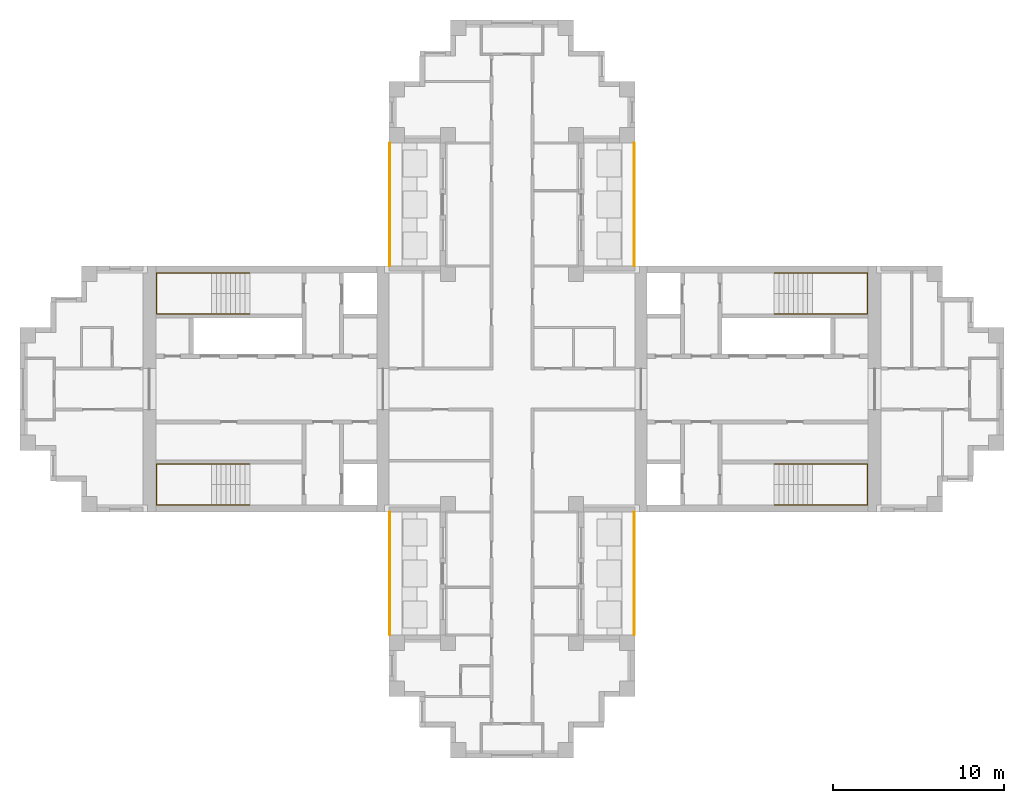
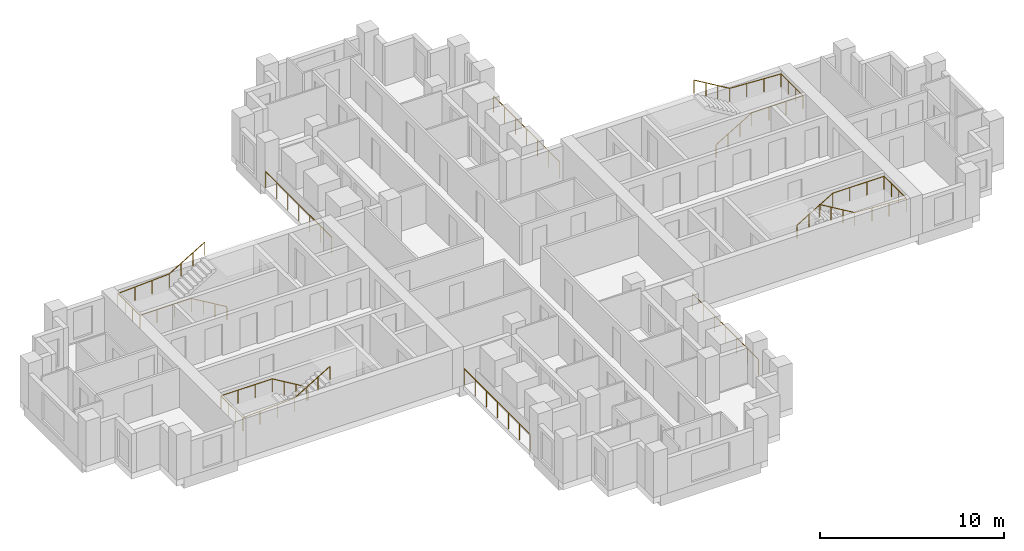
# One storey, part 8 of 9: 8 railings.
"""IFC4 building model written with IfcOpenShell, lengths in metres."""

from ifc_helpers import new_model, si_unit, direction, frame, origin, origin_2d, place, context, subcontext, project, spatial, circle, extrude, material, type_object, element, save


model = new_model("IFC4")

# Units and contexts
model_context = context("Model", 3, precision=1e-05, world=origin(), true_north=direction((0.0, 1.0)))
body_context = subcontext(model_context, "Body", "Model", "MODEL_VIEW")
ifc_project = project(units=[si_unit("LENGTHUNIT", "METRE"), si_unit("AREAUNIT", "SQUARE_METRE"), si_unit("VOLUMEUNIT", "CUBIC_METRE"), si_unit("PLANEANGLEUNIT", "RADIAN"), si_unit("MASSUNIT", "GRAM", prefix="KILO")], contexts=[model_context])

# Site, building, storey
site_placement = place(None, origin())
site = spatial("IfcSite", under=ifc_project, at=site_placement, CompositionType="ELEMENT")
building_placement = place(site_placement, origin())
building = spatial("IfcBuilding", under=site, at=building_placement, Name="Fustian Cross Tower", CompositionType="ELEMENT")
storey_placement = place(building_placement, frame((0.0, 0.0, 216.89990234375)))
storey = spatial("IfcBuildingStorey", under=building, at=storey_placement, Name="L68", CompositionType="ELEMENT", Elevation=216.89990234375)

# Railings
ifc_material_1 = material(Name="Stainless steel and glass", Category="steel")
railing_type_1 = type_object("IfcRailingType", Name="GR1 BALCONY GUARD 1100", PredefinedType="GUARDRAIL", material=ifc_material_1)
for number, where, name in (
    (1, (7.14990234375, 7.199951171875, 0.0), "Balcony guard"),
    (2, (-7.14990234375, 7.199951171875, 0.0), "Balcony guard"),
    (3, (7.14990234375, -14.39990234375, 0.0), "Balcony guard"),
    (4, (-7.14990234375, -14.39990234375, 0.0), "Balcony guard"),
):
    element("IfcRailing", number, at=place(storey_placement, frame(where)), inside=storey, type_object=railing_type_1, Name=name, PredefinedType="GUARDRAIL", context=body_context, shape_type="SweptSolid", body=[
        extrude(circle(Radius=0.02392578125, at=origin_2d()), frame((0.0, 0.0, 1.076171875), z_axis=(0.0, 1.0, 0.0), x_axis=(-1.0, 0.0, 0.0)), (0.0, 0.0, 1.0), 7.199951171875),
        extrude(circle(Radius=0.02099609375, at=origin_2d()), origin(), (0.0, 0.0, 1.0), 1.052001953125),
        extrude(circle(Radius=0.02099609375, at=origin_2d()), frame((0.0, 1.199951171875, 0.0)), (0.0, 0.0, 1.0), 1.052001953125),
        extrude(circle(Radius=0.02099609375, at=origin_2d()), frame((0.0, 2.39990234375, 0.0)), (0.0, 0.0, 1.0), 1.052001953125),
        extrude(circle(Radius=0.02099609375, at=origin_2d()), frame((0.0, 3.60009765625, 0.0)), (0.0, 0.0, 1.0), 1.052001953125),
        extrude(circle(Radius=0.02099609375, at=origin_2d()), frame((0.0, 4.800048828125, 0.0)), (0.0, 0.0, 1.0), 1.052001953125),
        extrude(circle(Radius=0.02099609375, at=origin_2d()), frame((0.0, 6.0, 0.0)), (0.0, 0.0, 1.0), 1.052001953125),
        extrude(circle(Radius=0.02099609375, at=origin_2d()), frame((0.0, 7.199951171875, 0.0)), (0.0, 0.0, 1.0), 1.052001953125),
    ])
ifc_material_2 = material(Name="Stainless steel", Category="steel")
railing_type_2 = type_object("IfcRailingType", Name="STAIR HANDRAIL", PredefinedType="HANDRAIL", material=ifc_material_2)
railing_1_placement = place(storey_placement, frame((15.35009765625, 4.39990234375, 0.166748046875)))
element("IfcRailing", 5, at=railing_1_placement, inside=storey, type_object=railing_type_2, Name="Stair ST1 handrail 1", PredefinedType="HANDRAIL", context=body_context, shape_type="SweptSolid", body=[
    extrude(circle(Radius=0.02490234375, at=origin_2d()), frame((0.0, 0.0, 0.875), z_axis=(0.859305625298, 0.0, 0.511462454469), x_axis=(0.0, 1.0, 0.0)), (0.0, 0.0, 1.0), 2.606689453125),
    extrude(circle(Radius=0.02490234375, at=origin_2d()), frame((2.239990234375, 0.0, 2.2080078125), z_axis=(1.0, 0.0, 0.0), x_axis=(0.0, 1.0, 0.0)), (0.0, 0.0, 1.0), 3.219970703125),
    extrude(circle(Radius=0.02490234375, at=origin_2d()), frame((5.4599609375, 0.0, 2.2080078125), z_axis=(0.0, 1.0, 0.0), x_axis=(-1.0, 0.0, 0.0)), (0.0, 0.0, 1.0), 2.400146484375),
    extrude(circle(Radius=0.02490234375, at=origin_2d()), frame((5.4599609375, 2.400146484375, 2.2080078125), z_axis=(-0.998661817807, 0.0, 0.051716280352), x_axis=(0.0, -1.0, 0.0)), (0.0, 0.0, 1.0), 3.224365234375),
    extrude(circle(Radius=0.02490234375, at=origin_2d()), frame((2.239990234375, 2.400146484375, 2.375), z_axis=(-0.859305625298, 0.0, 0.511462454469), x_axis=(0.0, -1.0, 0.0)), (0.0, 0.0, 1.0), 2.606689453125),
    extrude(circle(Radius=0.02001953125, at=origin_2d()), origin(), (0.0, 0.0, 1.0), 0.849853515625),
    extrude(circle(Radius=0.02001953125, at=origin_2d()), frame((0.74658203125, 0.0, 0.4443359375)), (0.0, 0.0, 1.0), 0.849853515625),
    extrude(circle(Radius=0.02001953125, at=origin_2d()), frame((1.493408203125, 0.0, 0.888916015625)), (0.0, 0.0, 1.0), 0.849853515625),
    extrude(circle(Radius=0.02001953125, at=origin_2d()), frame((2.239990234375, 0.0, 1.333251953125)), (0.0, 0.0, 1.0), 0.849853515625),
    extrude(circle(Radius=0.02001953125, at=origin_2d()), frame((3.313232421875, 0.0, 1.333251953125)), (0.0, 0.0, 1.0), 0.849853515625),
    extrude(circle(Radius=0.02001953125, at=origin_2d()), frame((4.38671875, 0.0, 1.333251953125)), (0.0, 0.0, 1.0), 0.849853515625),
    extrude(circle(Radius=0.02001953125, at=origin_2d()), frame((5.4599609375, 0.0, 1.333251953125)), (0.0, 0.0, 1.0), 0.849853515625),
    extrude(circle(Radius=0.02001953125, at=origin_2d()), frame((5.4599609375, 0.800048828125, 1.333251953125)), (0.0, 0.0, 1.0), 0.849853515625),
    extrude(circle(Radius=0.02001953125, at=origin_2d()), frame((5.4599609375, 1.60009765625, 1.333251953125)), (0.0, 0.0, 1.0), 0.849853515625),
    extrude(circle(Radius=0.02001953125, at=origin_2d()), frame((5.4599609375, 2.400146484375, 1.333251953125)), (0.0, 0.0, 1.0), 0.849853515625),
    extrude(circle(Radius=0.02001953125, at=origin_2d()), frame((4.38671875, 2.400146484375, 1.388916015625)), (0.0, 0.0, 1.0), 0.849853515625),
    extrude(circle(Radius=0.02001953125, at=origin_2d()), frame((3.313232421875, 2.400146484375, 1.4443359375)), (0.0, 0.0, 1.0), 0.849853515625),
    extrude(circle(Radius=0.02001953125, at=origin_2d()), frame((2.239990234375, 2.400146484375, 1.5)), (0.0, 0.0, 1.0), 0.849853515625),
    extrude(circle(Radius=0.02001953125, at=origin_2d()), frame((1.493408203125, 2.400146484375, 1.9443359375)), (0.0, 0.0, 1.0), 0.849853515625),
    extrude(circle(Radius=0.02001953125, at=origin_2d()), frame((0.74658203125, 2.400146484375, 2.388916015625)), (0.0, 0.0, 1.0), 0.849853515625),
    extrude(circle(Radius=0.02001953125, at=origin_2d()), frame((0.0, 2.400146484375, 2.833251953125)), (0.0, 0.0, 1.0), 0.849853515625),
])
railing_2_placement = place(storey_placement, frame((15.35009765625, -4.39990234375, 0.166748046875)))
element("IfcRailing", 6, at=railing_2_placement, inside=storey, type_object=railing_type_2, Name="Stair ST2 handrail 1", PredefinedType="HANDRAIL", context=body_context, shape_type="SweptSolid", body=[
    extrude(circle(Radius=0.02490234375, at=origin_2d()), frame((0.0, 0.0, 0.875), z_axis=(0.859305625298, 0.0, 0.511462454469), x_axis=(0.0, 1.0, 0.0)), (0.0, 0.0, 1.0), 2.606689453125),
    extrude(circle(Radius=0.02490234375, at=origin_2d()), frame((2.239990234375, 0.0, 2.2080078125), z_axis=(1.0, 0.0, 0.0), x_axis=(0.0, 1.0, 0.0)), (0.0, 0.0, 1.0), 3.219970703125),
    extrude(circle(Radius=0.02490234375, at=origin_2d()), frame((5.4599609375, 0.0, 2.2080078125), z_axis=(0.0, -1.0, 0.0), x_axis=(1.0, 0.0, 0.0)), (0.0, 0.0, 1.0), 2.400146484375),
    extrude(circle(Radius=0.02490234375, at=origin_2d()), frame((5.4599609375, -2.400146484375, 2.2080078125), z_axis=(-0.998661817807, 0.0, 0.051716280352), x_axis=(0.0, -1.0, 0.0)), (0.0, 0.0, 1.0), 3.224365234375),
    extrude(circle(Radius=0.02490234375, at=origin_2d()), frame((2.239990234375, -2.400146484375, 2.375), z_axis=(-0.859305625298, 0.0, 0.511462454469), x_axis=(0.0, -1.0, 0.0)), (0.0, 0.0, 1.0), 2.606689453125),
    extrude(circle(Radius=0.02001953125, at=origin_2d()), origin(), (0.0, 0.0, 1.0), 0.849853515625),
    extrude(circle(Radius=0.02001953125, at=origin_2d()), frame((0.74658203125, 0.0, 0.4443359375)), (0.0, 0.0, 1.0), 0.849853515625),
    extrude(circle(Radius=0.02001953125, at=origin_2d()), frame((1.493408203125, 0.0, 0.888916015625)), (0.0, 0.0, 1.0), 0.849853515625),
    extrude(circle(Radius=0.02001953125, at=origin_2d()), frame((2.239990234375, 0.0, 1.333251953125)), (0.0, 0.0, 1.0), 0.849853515625),
    extrude(circle(Radius=0.02001953125, at=origin_2d()), frame((3.313232421875, 0.0, 1.333251953125)), (0.0, 0.0, 1.0), 0.849853515625),
    extrude(circle(Radius=0.02001953125, at=origin_2d()), frame((4.38671875, 0.0, 1.333251953125)), (0.0, 0.0, 1.0), 0.849853515625),
    extrude(circle(Radius=0.02001953125, at=origin_2d()), frame((5.4599609375, 0.0, 1.333251953125)), (0.0, 0.0, 1.0), 0.849853515625),
    extrude(circle(Radius=0.02001953125, at=origin_2d()), frame((5.4599609375, -0.800048828125, 1.333251953125)), (0.0, 0.0, 1.0), 0.849853515625),
    extrude(circle(Radius=0.02001953125, at=origin_2d()), frame((5.4599609375, -1.60009765625, 1.333251953125)), (0.0, 0.0, 1.0), 0.849853515625),
    extrude(circle(Radius=0.02001953125, at=origin_2d()), frame((5.4599609375, -2.400146484375, 1.333251953125)), (0.0, 0.0, 1.0), 0.849853515625),
    extrude(circle(Radius=0.02001953125, at=origin_2d()), frame((4.38671875, -2.400146484375, 1.388916015625)), (0.0, 0.0, 1.0), 0.849853515625),
    extrude(circle(Radius=0.02001953125, at=origin_2d()), frame((3.313232421875, -2.400146484375, 1.4443359375)), (0.0, 0.0, 1.0), 0.849853515625),
    extrude(circle(Radius=0.02001953125, at=origin_2d()), frame((2.239990234375, -2.400146484375, 1.5)), (0.0, 0.0, 1.0), 0.849853515625),
    extrude(circle(Radius=0.02001953125, at=origin_2d()), frame((1.493408203125, -2.400146484375, 1.9443359375)), (0.0, 0.0, 1.0), 0.849853515625),
    extrude(circle(Radius=0.02001953125, at=origin_2d()), frame((0.74658203125, -2.400146484375, 2.388916015625)), (0.0, 0.0, 1.0), 0.849853515625),
    extrude(circle(Radius=0.02001953125, at=origin_2d()), frame((0.0, -2.400146484375, 2.833251953125)), (0.0, 0.0, 1.0), 0.849853515625),
])
railing_3_placement = place(storey_placement, frame((-15.35009765625, 4.39990234375, 0.166748046875)))
element("IfcRailing", 7, at=railing_3_placement, inside=storey, type_object=railing_type_2, Name="Stair ST3 handrail 1", PredefinedType="HANDRAIL", context=body_context, shape_type="SweptSolid", body=[
    extrude(circle(Radius=0.02490234375, at=origin_2d()), frame((0.0, 0.0, 0.875), z_axis=(-0.859305625298, 0.0, 0.511462454469), x_axis=(0.0, -1.0, 0.0)), (0.0, 0.0, 1.0), 2.606689453125),
    extrude(circle(Radius=0.02490234375, at=origin_2d()), frame((-2.239990234375, 0.0, 2.2080078125), z_axis=(-1.0, 0.0, 0.0), x_axis=(0.0, -1.0, 0.0)), (0.0, 0.0, 1.0), 3.219970703125),
    extrude(circle(Radius=0.02490234375, at=origin_2d()), frame((-5.4599609375, 0.0, 2.2080078125), z_axis=(0.0, 1.0, 0.0), x_axis=(-1.0, 0.0, 0.0)), (0.0, 0.0, 1.0), 2.400146484375),
    extrude(circle(Radius=0.02490234375, at=origin_2d()), frame((-5.4599609375, 2.400146484375, 2.2080078125), z_axis=(0.998661817807, 0.0, 0.051716280352), x_axis=(0.0, 1.0, 0.0)), (0.0, 0.0, 1.0), 3.224365234375),
    extrude(circle(Radius=0.02490234375, at=origin_2d()), frame((-2.239990234375, 2.400146484375, 2.375), z_axis=(0.859305625298, 0.0, 0.511462454469), x_axis=(0.0, 1.0, 0.0)), (0.0, 0.0, 1.0), 2.606689453125),
    extrude(circle(Radius=0.02001953125, at=origin_2d()), origin(), (0.0, 0.0, 1.0), 0.849853515625),
    extrude(circle(Radius=0.02001953125, at=origin_2d()), frame((-0.74658203125, 0.0, 0.4443359375)), (0.0, 0.0, 1.0), 0.849853515625),
    extrude(circle(Radius=0.02001953125, at=origin_2d()), frame((-1.493408203125, 0.0, 0.888916015625)), (0.0, 0.0, 1.0), 0.849853515625),
    extrude(circle(Radius=0.02001953125, at=origin_2d()), frame((-2.239990234375, 0.0, 1.333251953125)), (0.0, 0.0, 1.0), 0.849853515625),
    extrude(circle(Radius=0.02001953125, at=origin_2d()), frame((-3.313232421875, 0.0, 1.333251953125)), (0.0, 0.0, 1.0), 0.849853515625),
    extrude(circle(Radius=0.02001953125, at=origin_2d()), frame((-4.38671875, 0.0, 1.333251953125)), (0.0, 0.0, 1.0), 0.849853515625),
    extrude(circle(Radius=0.02001953125, at=origin_2d()), frame((-5.4599609375, 0.0, 1.333251953125)), (0.0, 0.0, 1.0), 0.849853515625),
    extrude(circle(Radius=0.02001953125, at=origin_2d()), frame((-5.4599609375, 0.800048828125, 1.333251953125)), (0.0, 0.0, 1.0), 0.849853515625),
    extrude(circle(Radius=0.02001953125, at=origin_2d()), frame((-5.4599609375, 1.60009765625, 1.333251953125)), (0.0, 0.0, 1.0), 0.849853515625),
    extrude(circle(Radius=0.02001953125, at=origin_2d()), frame((-5.4599609375, 2.400146484375, 1.333251953125)), (0.0, 0.0, 1.0), 0.849853515625),
    extrude(circle(Radius=0.02001953125, at=origin_2d()), frame((-4.38671875, 2.400146484375, 1.388916015625)), (0.0, 0.0, 1.0), 0.849853515625),
    extrude(circle(Radius=0.02001953125, at=origin_2d()), frame((-3.313232421875, 2.400146484375, 1.4443359375)), (0.0, 0.0, 1.0), 0.849853515625),
    extrude(circle(Radius=0.02001953125, at=origin_2d()), frame((-2.239990234375, 2.400146484375, 1.5)), (0.0, 0.0, 1.0), 0.849853515625),
    extrude(circle(Radius=0.02001953125, at=origin_2d()), frame((-1.493408203125, 2.400146484375, 1.9443359375)), (0.0, 0.0, 1.0), 0.849853515625),
    extrude(circle(Radius=0.02001953125, at=origin_2d()), frame((-0.74658203125, 2.400146484375, 2.388916015625)), (0.0, 0.0, 1.0), 0.849853515625),
    extrude(circle(Radius=0.02001953125, at=origin_2d()), frame((0.0, 2.400146484375, 2.833251953125)), (0.0, 0.0, 1.0), 0.849853515625),
])
railing_4_placement = place(storey_placement, frame((-15.35009765625, -4.39990234375, 0.166748046875)))
element("IfcRailing", 8, at=railing_4_placement, inside=storey, type_object=railing_type_2, Name="Stair ST4 handrail 1", PredefinedType="HANDRAIL", context=body_context, shape_type="SweptSolid", body=[
    extrude(circle(Radius=0.02490234375, at=origin_2d()), frame((0.0, 0.0, 0.875), z_axis=(-0.859305625298, 0.0, 0.511462454469), x_axis=(0.0, -1.0, 0.0)), (0.0, 0.0, 1.0), 2.606689453125),
    extrude(circle(Radius=0.02490234375, at=origin_2d()), frame((-2.239990234375, 0.0, 2.2080078125), z_axis=(-1.0, 0.0, 0.0), x_axis=(0.0, -1.0, 0.0)), (0.0, 0.0, 1.0), 3.219970703125),
    extrude(circle(Radius=0.02490234375, at=origin_2d()), frame((-5.4599609375, 0.0, 2.2080078125), z_axis=(0.0, -1.0, 0.0), x_axis=(1.0, 0.0, 0.0)), (0.0, 0.0, 1.0), 2.400146484375),
    extrude(circle(Radius=0.02490234375, at=origin_2d()), frame((-5.4599609375, -2.400146484375, 2.2080078125), z_axis=(0.998661817807, 0.0, 0.051716280352), x_axis=(0.0, 1.0, 0.0)), (0.0, 0.0, 1.0), 3.224365234375),
    extrude(circle(Radius=0.02490234375, at=origin_2d()), frame((-2.239990234375, -2.400146484375, 2.375), z_axis=(0.859305625298, 0.0, 0.511462454469), x_axis=(0.0, 1.0, 0.0)), (0.0, 0.0, 1.0), 2.606689453125),
    extrude(circle(Radius=0.02001953125, at=origin_2d()), origin(), (0.0, 0.0, 1.0), 0.849853515625),
    extrude(circle(Radius=0.02001953125, at=origin_2d()), frame((-0.74658203125, 0.0, 0.4443359375)), (0.0, 0.0, 1.0), 0.849853515625),
    extrude(circle(Radius=0.02001953125, at=origin_2d()), frame((-1.493408203125, 0.0, 0.888916015625)), (0.0, 0.0, 1.0), 0.849853515625),
    extrude(circle(Radius=0.02001953125, at=origin_2d()), frame((-2.239990234375, 0.0, 1.333251953125)), (0.0, 0.0, 1.0), 0.849853515625),
    extrude(circle(Radius=0.02001953125, at=origin_2d()), frame((-3.313232421875, 0.0, 1.333251953125)), (0.0, 0.0, 1.0), 0.849853515625),
    extrude(circle(Radius=0.02001953125, at=origin_2d()), frame((-4.38671875, 0.0, 1.333251953125)), (0.0, 0.0, 1.0), 0.849853515625),
    extrude(circle(Radius=0.02001953125, at=origin_2d()), frame((-5.4599609375, 0.0, 1.333251953125)), (0.0, 0.0, 1.0), 0.849853515625),
    extrude(circle(Radius=0.02001953125, at=origin_2d()), frame((-5.4599609375, -0.800048828125, 1.333251953125)), (0.0, 0.0, 1.0), 0.849853515625),
    extrude(circle(Radius=0.02001953125, at=origin_2d()), frame((-5.4599609375, -1.60009765625, 1.333251953125)), (0.0, 0.0, 1.0), 0.849853515625),
    extrude(circle(Radius=0.02001953125, at=origin_2d()), frame((-5.4599609375, -2.400146484375, 1.333251953125)), (0.0, 0.0, 1.0), 0.849853515625),
    extrude(circle(Radius=0.02001953125, at=origin_2d()), frame((-4.38671875, -2.400146484375, 1.388916015625)), (0.0, 0.0, 1.0), 0.849853515625),
    extrude(circle(Radius=0.02001953125, at=origin_2d()), frame((-3.313232421875, -2.400146484375, 1.4443359375)), (0.0, 0.0, 1.0), 0.849853515625),
    extrude(circle(Radius=0.02001953125, at=origin_2d()), frame((-2.239990234375, -2.400146484375, 1.5)), (0.0, 0.0, 1.0), 0.849853515625),
    extrude(circle(Radius=0.02001953125, at=origin_2d()), frame((-1.493408203125, -2.400146484375, 1.9443359375)), (0.0, 0.0, 1.0), 0.849853515625),
    extrude(circle(Radius=0.02001953125, at=origin_2d()), frame((-0.74658203125, -2.400146484375, 2.388916015625)), (0.0, 0.0, 1.0), 0.849853515625),
    extrude(circle(Radius=0.02001953125, at=origin_2d()), frame((0.0, -2.400146484375, 2.833251953125)), (0.0, 0.0, 1.0), 0.849853515625),
])

save(model, "model.ifc")
